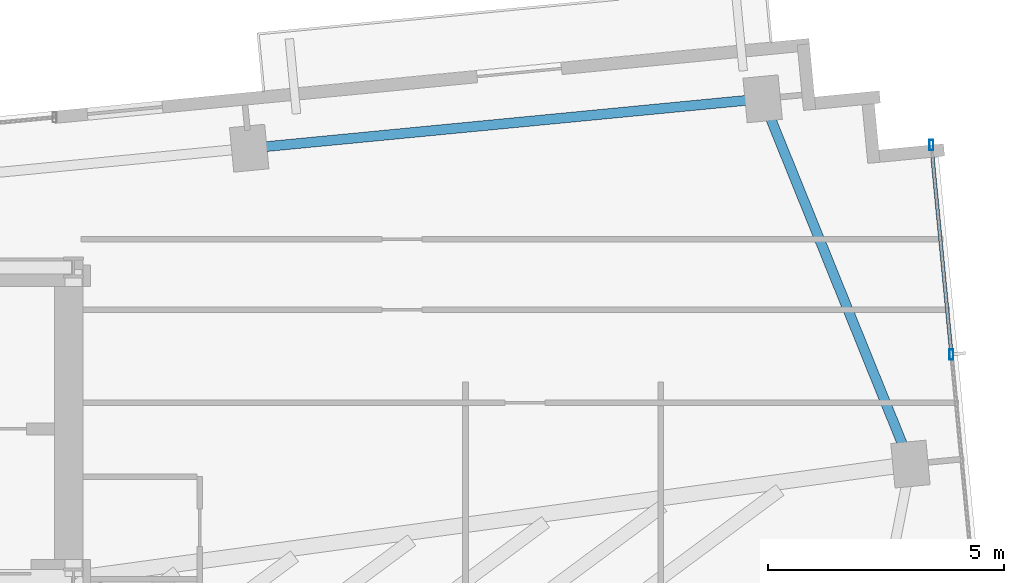
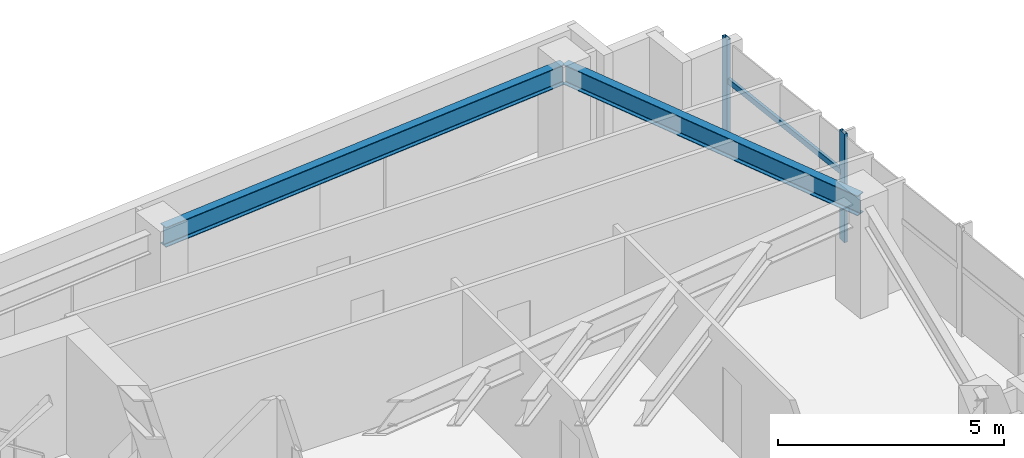
# One storey, part 11 of 18: 3 members, 2 beams, 1 element without a shape of its own.
"""IFC4 building model written with IfcOpenShell, lengths in metres."""

from ifc_helpers import new_model, si_unit, direction, frame, origin, origin_2d, place, context, subcontext, project, spatial, hollow_rectangle, i_section, extrude, source, transform, mapped, material, material_profile, profile_set, type_object, type_shapes, element, aggregate, save


model = new_model("IFC4")

# Units and contexts
model_context = context("Model", 3, precision=1e-05, world=origin(), true_north=direction((0.0, 1.0)))
body_context = subcontext(model_context, "Body", "Model", "MODEL_VIEW")
ifc_project = project(units=[si_unit("LENGTHUNIT", "METRE"), si_unit("AREAUNIT", "SQUARE_METRE"), si_unit("VOLUMEUNIT", "CUBIC_METRE"), si_unit("PLANEANGLEUNIT", "RADIAN"), si_unit("MASSUNIT", "GRAM", prefix="KILO")], contexts=[model_context])

# Site, building, storey
site_placement = place(None, origin())
site = spatial("IfcSite", under=ifc_project, at=site_placement, CompositionType="ELEMENT")
building_placement = place(site_placement, origin())
building = spatial("IfcBuilding", under=site, at=building_placement, Name="Astriad Promenade Condominiums", CompositionType="ELEMENT")
storey_placement = place(building_placement, frame((0.0, 0.0, 201.800048828125)))
storey = spatial("IfcBuildingStorey", under=building, at=storey_placement, Name="L58", CompositionType="ELEMENT", Elevation=201.800048828125)

# Beams
ifc_material_1 = material(Name="Steel ASTM A992 Grade 50", Category="steel")
ifc_material_profile_1 = material_profile(ifc_material_1, i_section(OverallWidth=0.210693359375, OverallDepth=0.53955078125, WebThickness=0.01171875, FlangeThickness=0.018798828125, FilletRadius=0.0166015625, at=origin_2d()), Name="W21X73")
ifc_profile_set_1 = profile_set([ifc_material_profile_1], Name="Steel ASTM A992 Grade 50")
beam_type = type_object("IfcBeamType", Name="STEEL SPANDREL BEAM W21X73", PredefinedType="SPANDREL", material=ifc_profile_set_1)
shared_shape_1 = source(origin(), body_context, "Body", "SweptSolid", [
    extrude(i_section(OverallWidth=0.210693359375, OverallDepth=0.53955078125, WebThickness=0.01171875, FlangeThickness=0.018798828125, FilletRadius=0.0166015625, at=origin_2d()), origin(), (0.0, 0.0, 1.0), 10.8701171875),
])
beam_1_placement = place(storey_placement, frame((60.190673828125, 27.578369140625, 2.670166015625), z_axis=(-0.995394986184, -0.09585834069, 0.0), x_axis=(0.09585834069, -0.995394986184, 0.0)))
element("IfcBeam", 1, at=beam_1_placement, inside=storey, type_object=beam_type, Name="Perimeter Spandrel Beam SP-N4-L58", PredefinedType="SPANDREL", context=body_context, shape_type="MappedRepresentation", body=[
    mapped(shared_shape_1, transform((0.0, 0.0, 0.0), scale=1.0)),
])
shared_shape_2 = source(origin(), body_context, "Body", "SweptSolid", [
    extrude(i_section(OverallWidth=0.210693359375, OverallDepth=0.53955078125, WebThickness=0.01171875, FlangeThickness=0.018798828125, FilletRadius=0.0166015625, at=origin_2d()), origin(), (0.0, 0.0, 1.0), 8.28564453125),
])
type_shapes(beam_type, [shared_shape_1, shared_shape_2])
beam_2_placement = place(storey_placement, frame((63.353271484375, 19.8642578125, 2.670166015625), z_axis=(-0.375070987134, 0.926996092014, 0.0), x_axis=(-0.926996092014, -0.375070987134, 0.0)))
element("IfcBeam", 2, at=beam_2_placement, inside=storey, type_object=beam_type, Name="Perimeter Spandrel Beam SP-E2-L58", PredefinedType="SPANDREL", context=body_context, shape_type="MappedRepresentation", body=[
    mapped(shared_shape_2, transform((0.0, 0.0, 0.0), scale=1.0)),
])

# Curtain wall, members
ifc_material_2 = material(Name="Anodised aluminium Black Dark Glass Unitised", Category="aluminium")
curtain_wall_type = type_object("IfcCurtainWallType", Name="CW-B34-DARK", PredefinedType="USERDEFINED", material=ifc_material_2)
curtain_wall_placement = place(storey_placement, origin())
curtain_wall = element("IfcCurtainWall", 3, at=curtain_wall_placement, inside=storey, type_object=curtain_wall_type, Name="CW-L58-E", ObjectType="UNITISED_CURTAIN_WALL", PredefinedType="USERDEFINED")
ifc_material_3 = material(Name="Anodised aluminium 6063-T6 Black", Category="aluminium")
ifc_material_profile_2 = material_profile(ifc_material_3, hollow_rectangle(XDim=0.0849609375, YDim=0.219970703125, WallThickness=0.0048828125, at=origin_2d()), Name="ALU-MUL-85X220")
ifc_profile_set_2 = profile_set([ifc_material_profile_2], Name="Anodised aluminium 6063-T6 Black")
member_type_1 = type_object("IfcMemberType", Name="MUL-ALU-MUL-85X220", PredefinedType="MULLION", material=ifc_profile_set_2)
shared_shape_3 = source(origin(), body_context, "Body", "SweptSolid", [
    extrude(hollow_rectangle(XDim=0.0849609375, YDim=0.219970703125, WallThickness=0.0048828125, at=origin_2d()), origin(), (0.0, 0.0, 1.0), 2.93994140625),
])
type_shapes(member_type_1, [shared_shape_3])
member_1_placement = place(storey_placement, frame((63.81103515625, 26.6005859375, 0.0), z_axis=(0.0, 0.0, 1.0), x_axis=(1.0, 0.0, 0.0)))
member_1 = element("IfcMember", 4, at=member_1_placement, type_object=member_type_1, Name="CW-L58-E-MUL-00", PredefinedType="MULLION", context=body_context, shape_type="MappedRepresentation", body=[
    mapped(shared_shape_3, transform((0.0, 0.0, 0.0), scale=1.0)),
])
member_2_placement = place(storey_placement, frame((64.239013671875, 22.154541015625, 0.0), z_axis=(0.0, 0.0, 1.0), x_axis=(1.0, 0.0, 0.0)))
member_2 = element("IfcMember", 5, at=member_2_placement, type_object=member_type_1, Name="CW-L58-E-MUL-01", PredefinedType="MULLION", context=body_context, shape_type="MappedRepresentation", body=[
    mapped(shared_shape_3, transform((0.0, 0.0, 0.0), scale=1.0)),
])
ifc_material_profile_3 = material_profile(ifc_material_3, hollow_rectangle(XDim=0.074951171875, YDim=0.14990234375, WallThickness=0.004150390625, at=origin_2d()), Name="ALU-TRN-75X150")
ifc_profile_set_3 = profile_set([ifc_material_profile_3], Name="Anodised aluminium 6063-T6 Black")
member_type_2 = type_object("IfcMemberType", Name="TRN-ALU-TRN-75X150", PredefinedType="USERDEFINED", material=ifc_profile_set_3)
shared_shape_4 = source(origin(), body_context, "Body", "SweptSolid", [
    extrude(hollow_rectangle(XDim=0.074951171875, YDim=0.14990234375, WallThickness=0.004150390625, at=origin_2d()), origin(), (0.0, 0.0, 1.0), 4.466552734375),
])
type_shapes(member_type_2, [shared_shape_4])
member_3_placement = place(storey_placement, frame((63.81103515625, 26.6005859375, 1.82275390625), z_axis=(0.095817598554, -0.995398908884, 0.0), x_axis=(0.995398908884, 0.095817598554, 0.0)))
member_3 = element("IfcMember", 6, at=member_3_placement, type_object=member_type_2, Name="CW-L58-E-TRN-00-0", ObjectType="TRANSOM", PredefinedType="USERDEFINED", context=body_context, shape_type="MappedRepresentation", body=[
    mapped(shared_shape_4, transform((0.0, 0.0, 0.0), scale=1.0)),
])
aggregate(curtain_wall, [member_1, member_2, member_3])

save(model, "model.ifc")
